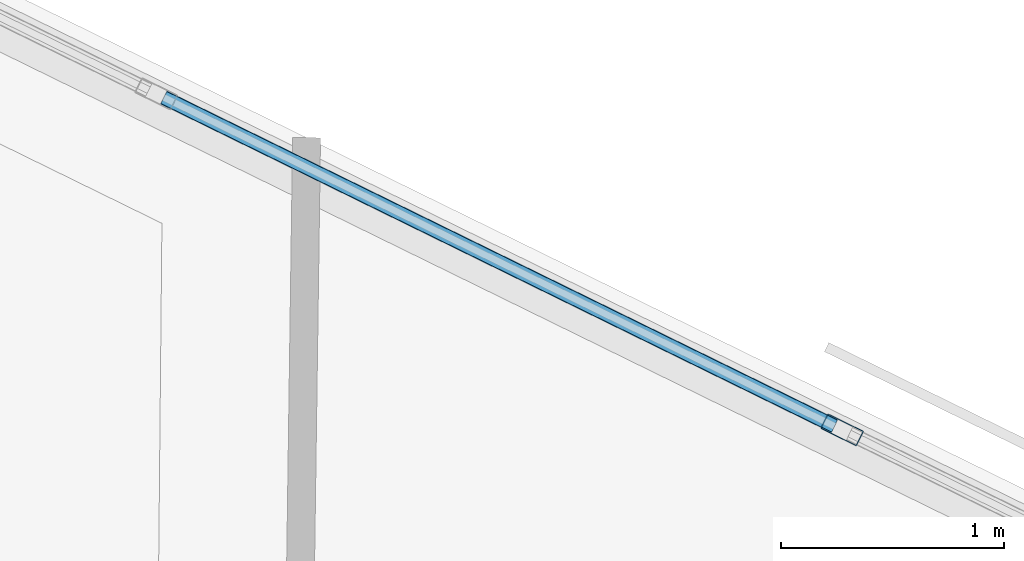
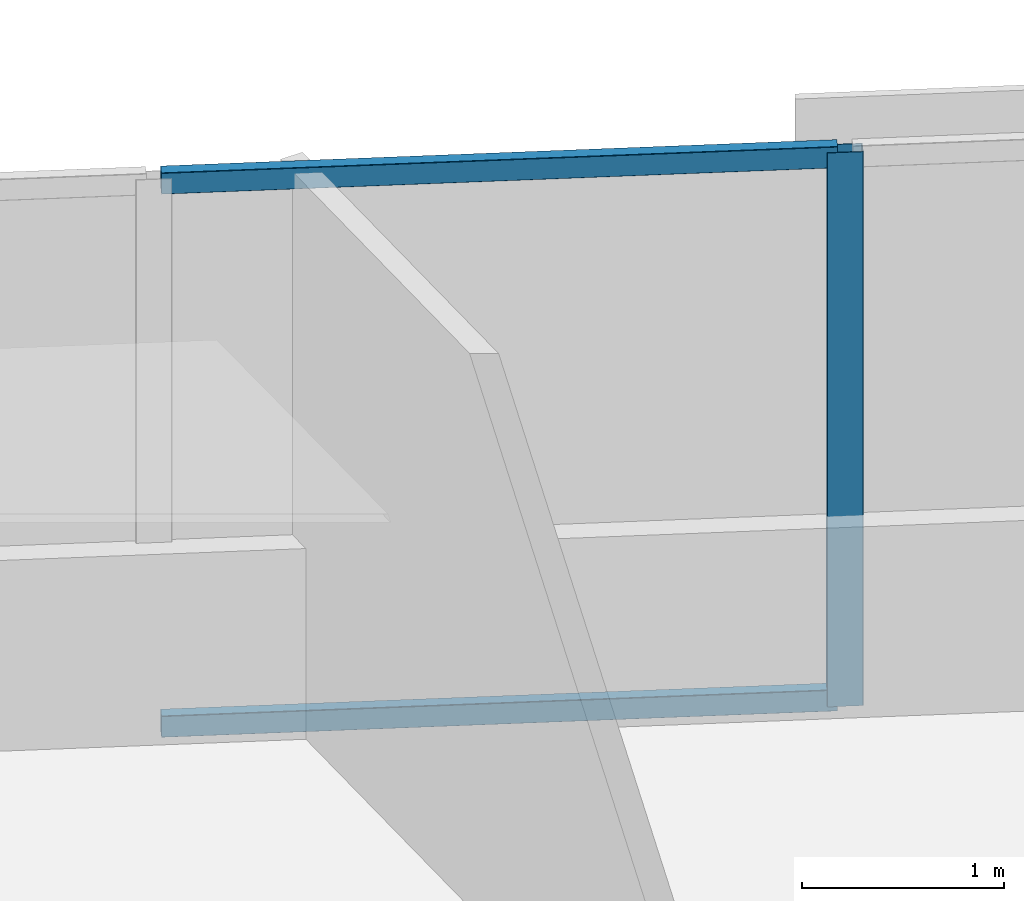
# One storey, part 11 of 19: 3 members, 1 element without a shape of its own.
"""IFC4 building model written with IfcOpenShell, lengths in metres."""

from ifc_helpers import new_model, si_unit, direction, frame, origin, origin_2d, place, context, subcontext, project, spatial, hollow_rectangle, extrude, material, material_profile, profile_set, type_object, element, aggregate, save


model = new_model("IFC4")

# Units and contexts
model_context = context("Model", 3, precision=1e-05, world=origin(), true_north=direction((0.0, 1.0)))
body_context = subcontext(model_context, "Body", "Model", "MODEL_VIEW")
ifc_project = project(units=[si_unit("LENGTHUNIT", "METRE"), si_unit("AREAUNIT", "SQUARE_METRE"), si_unit("VOLUMEUNIT", "CUBIC_METRE"), si_unit("PLANEANGLEUNIT", "RADIAN"), si_unit("MASSUNIT", "GRAM", prefix="KILO")], contexts=[model_context])

# Site, building, storey
site_placement = place(None, origin())
site = spatial("IfcSite", under=ifc_project, at=site_placement, CompositionType="ELEMENT")
building_placement = place(site_placement, origin())
building = spatial("IfcBuilding", under=site, at=building_placement, Name="Narakoshi Arena Tower", CompositionType="ELEMENT")
storey_placement = place(building_placement, frame((0.0, 0.0, 117.300048828125)))
storey = spatial("IfcBuildingStorey", under=building, at=storey_placement, Name="L31", CompositionType="ELEMENT", Elevation=117.300048828125)

# Curtain wall, members
ifc_material = material(Name="Anodised bronze aluminium 6063-T6", Category="aluminium")
curtain_wall_type = type_object("IfcCurtainWallType", Name="CW-HYP-LOW", PredefinedType="NOTDEFINED", material=ifc_material)
curtain_wall_placement = place(storey_placement, origin())
curtain_wall = element("IfcCurtainWall", 1, at=curtain_wall_placement, inside=storey, type_object=curtain_wall_type, Name="L31 Folded Hypotenuse Curtain Wall 2-1", PredefinedType="NOTDEFINED")
ifc_material_profile_1 = material_profile(ifc_material, hollow_rectangle(XDim=0.074951171875, YDim=0.179931640625, WallThickness=0.00390625, OuterFilletRadius=0.0048828125, at=origin_2d()), Name="MUL180x75x4")
ifc_profile_set_1 = profile_set([ifc_material_profile_1], Name="Anodised bronze aluminium 6063-T6")
member_type_1 = type_object("IfcMemberType", Name="MEM-MUL-180", PredefinedType="MULLION", material=ifc_profile_set_1)
member_1_placement = place(storey_placement, frame((81.486083984375, 65.51025390625, 0.0), z_axis=(0.0, 0.0, 1.0), x_axis=(-0.440004510198, -0.89799556291, 0.0)))
member_1 = element("IfcMember", 2, at=member_1_placement, type_object=member_type_1, Name="CW-01 mullion 3", PredefinedType="MULLION", context=body_context, shape_type="SweptSolid", body=[
    extrude(hollow_rectangle(XDim=0.074951171875, YDim=0.179931640625, WallThickness=0.00390625, OuterFilletRadius=0.0048828125, at=origin_2d()), origin(), (0.0, 0.0, 1.0), 3.33984375),
])
ifc_material_profile_2 = material_profile(ifc_material, hollow_rectangle(XDim=0.06494140625, YDim=0.1298828125, WallThickness=0.00390625, OuterFilletRadius=0.0048828125, at=origin_2d()), Name="TRN130x65x4")
ifc_profile_set_2 = profile_set([ifc_material_profile_2], Name="Anodised bronze aluminium 6063-T6")
member_type_2 = type_object("IfcMemberType", Name="MEM-TRN-130", PredefinedType="USERDEFINED", material=ifc_profile_set_2)
member_2_placement = place(storey_placement, frame((81.452392578125, 65.52685546875, 0.032470703125), z_axis=(-0.898000963691, 0.439993487691, 0.0), x_axis=(-0.439993487691, -0.898000963691, 0.0)))
member_2 = element("IfcMember", 3, at=member_2_placement, type_object=member_type_2, Name="CW-01 transom 3.1", ObjectType="TRANSOM", PredefinedType="USERDEFINED", context=body_context, shape_type="SweptSolid", body=[
    extrude(hollow_rectangle(XDim=0.06494140625, YDim=0.1298828125, WallThickness=0.00390625, OuterFilletRadius=0.0048828125, at=origin_2d()), origin(), (0.0, 0.0, 1.0), 3.34765625),
])
member_3_placement = place(storey_placement, frame((81.452392578125, 65.52685546875, 3.307373046875), z_axis=(-0.898000963691, 0.439993487691, 0.0), x_axis=(-0.439993487691, -0.898000963691, 0.0)))
member_3 = element("IfcMember", 4, at=member_3_placement, type_object=member_type_2, Name="CW-01 transom 3.2", ObjectType="TRANSOM", PredefinedType="USERDEFINED", context=body_context, shape_type="SweptSolid", body=[
    extrude(hollow_rectangle(XDim=0.06494140625, YDim=0.1298828125, WallThickness=0.00390625, OuterFilletRadius=0.0048828125, at=origin_2d()), origin(), (0.0, 0.0, 1.0), 3.34765625),
])
aggregate(curtain_wall, [member_1, member_2, member_3])

save(model, "model.ifc")
